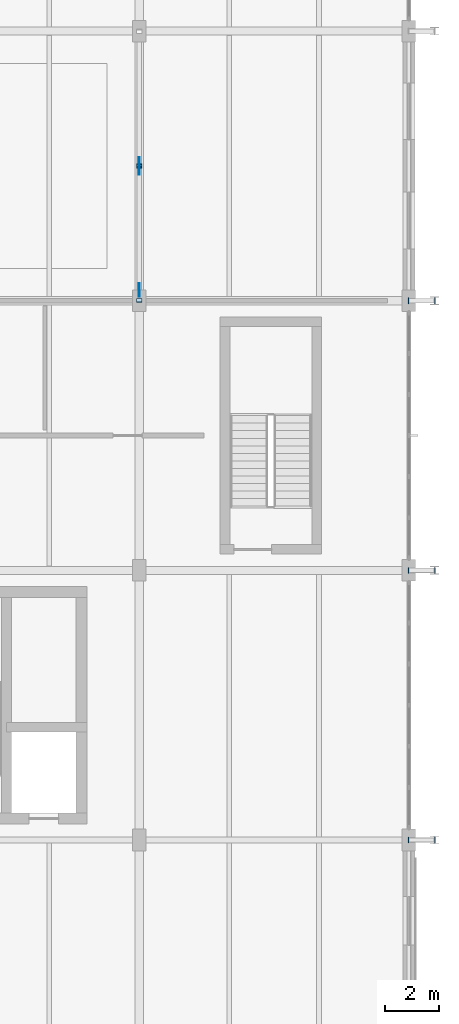
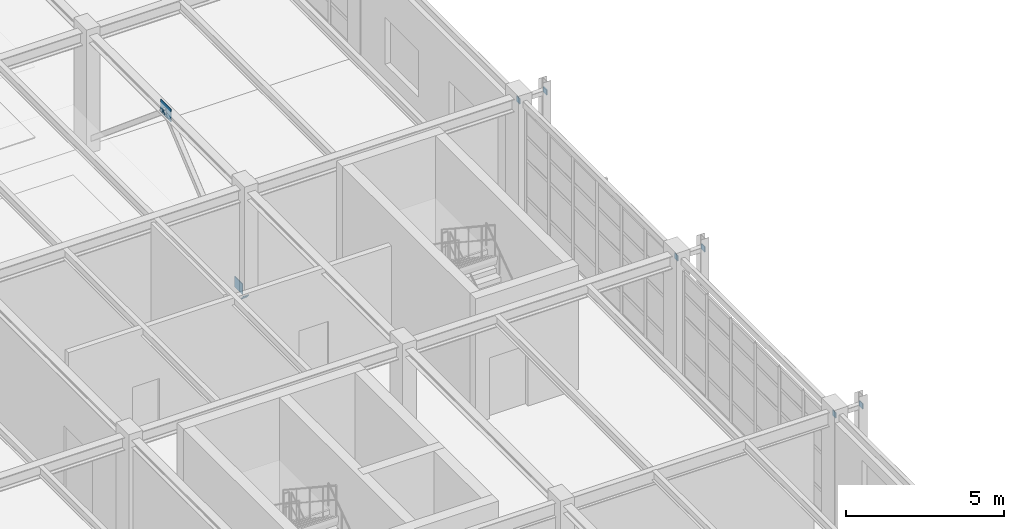
# One storey, part 114 of 139: 11 plates.
"""IFC4 building model written with IfcOpenShell, lengths in metres."""

from ifc_helpers import new_model, si_unit, direction, frame, origin, origin_2d, place, context, subcontext, project, spatial, rectangle, extrude, material, layer, layer_set, type_object, element, save


model = new_model("IFC4")

# Units and contexts
model_context = context("Model", 3, precision=1e-05, world=origin(), true_north=direction((0.0, 1.0)))
body_context = subcontext(model_context, "Body", "Model", "MODEL_VIEW")
ifc_project = project(units=[si_unit("LENGTHUNIT", "METRE"), si_unit("AREAUNIT", "SQUARE_METRE"), si_unit("VOLUMEUNIT", "CUBIC_METRE"), si_unit("PLANEANGLEUNIT", "RADIAN"), si_unit("MASSUNIT", "GRAM", prefix="KILO"), si_unit("THERMODYNAMICTEMPERATUREUNIT", "KELVIN"), si_unit("POWERUNIT", "WATT")], contexts=[model_context])

# Site, building, storey
site_placement = place(None, origin())
site = spatial("IfcSite", under=ifc_project, at=site_placement, CompositionType="ELEMENT")
building_placement = place(site_placement, origin())
building = spatial("IfcBuilding", under=site, at=building_placement, Name="Korenveer Ferry Terminal", CompositionType="ELEMENT")
storey_placement = place(building_placement, frame((0.0, 0.0, 5.39990234375)))
storey = spatial("IfcBuildingStorey", under=building, at=storey_placement, Name="L01", CompositionType="ELEMENT", Elevation=5.39990234375)

# Plates
ifc_material = material(Name="Steel S355", Category="steel")
ifc_layer_1 = layer(ifc_material, 0.031982421875)
ifc_layer_set_1 = layer_set([ifc_layer_1], Name="Steel S355")
plate_type_1 = type_object("IfcPlateType", Name="STR-PLT-CAP32", PredefinedType="USERDEFINED", material=ifc_layer_set_1)
for number, where, z_axis, x_axis, name in (
    (1, (175.9677734375, 20.0, 4.35009765625), (1.0, 0.0, 0.0), (0.0, 1.0, 0.0), "Hollow section end cap 115"),
    (2, (176.9501953125, 20.0, 4.35009765625), (1.0, 0.0, 0.0), (0.0, 1.0, 0.0), "Hollow section end cap 116"),
    (3, (175.9677734375, 30.0, 4.35009765625), (1.0, 0.0, 0.0), (0.0, 1.0, 0.0), "Hollow section end cap 121"),
    (4, (176.9501953125, 30.0, 4.35009765625), (1.0, 0.0, 0.0), (0.0, 1.0, 0.0), "Hollow section end cap 122"),
    (5, (175.9677734375, 40.0, 4.35009765625), (1.0, 0.0, 0.0), (0.0, 1.0, 0.0), "Hollow section end cap 127"),
    (6, (176.9501953125, 40.0, 4.35009765625), (1.0, 0.0, 0.0), (0.0, 1.0, 0.0), "Hollow section end cap 128"),
    (7, (166.0, 39.99560546875, 0.219482421875), (0.0, 0.767462827943, 0.641093446953), (-1.0, 0.0, 0.0), "Hollow section end cap 606"),
    (8, (166.0, 45.0, 4.400146484375), (0.0, 0.767462827943, 0.641093446953), (-1.0, 0.0, 0.0), "Hollow section end cap 607"),
    (9, (166.0, 44.9755859375, 4.420654296875), (0.0, 0.767462827943, -0.641093446953), (-1.0, 0.0, 0.0), "Hollow section end cap 608"),
):
    element("IfcPlate", number, at=place(storey_placement, frame(where, z_axis=z_axis, x_axis=x_axis)), inside=storey, type_object=plate_type_1, Name=name, ObjectType="END CAP PLATE", PredefinedType="USERDEFINED", context=body_context, shape_type="SweptSolid", body=[
        extrude(rectangle(XDim=0.2099609375, YDim=0.2099609375, at=origin_2d()), origin(), (0.0, 0.0, 1.0), 0.031982421875),
    ])
ifc_layer_2 = layer(ifc_material, 0.02392578125)
ifc_layer_set_2 = layer_set([ifc_layer_2], Name="Steel S355")
plate_type_2 = type_object("IfcPlateType", Name="STR-PLT-GUS24", PredefinedType="USERDEFINED", material=ifc_layer_set_2)
plate_1_placement = place(storey_placement, frame((166.0, 45.0, 4.150146484375), z_axis=(0.0, 0.0, 1.0), x_axis=(1.0, 0.0, 0.0)))
element("IfcPlate", 10, at=plate_1_placement, inside=storey, type_object=plate_type_2, Name="Chevron brace apex gusset 17", ObjectType="GUSSET PLATE", PredefinedType="USERDEFINED", context=body_context, shape_type="SweptSolid", body=[
    extrude(rectangle(XDim=0.02392578125, YDim=0.64990234375, at=origin_2d()), origin(), (0.0, 0.0, 1.0), 0.5),
])
plate_2_placement = place(storey_placement, frame((166.0, 40.39990234375, 0.240234375), z_axis=(0.0, 0.0, 1.0), x_axis=(1.0, 0.0, 0.0)))
element("IfcPlate", 11, at=plate_2_placement, inside=storey, type_object=plate_type_2, Name="Chevron brace base gusset 18", ObjectType="GUSSET PLATE", PredefinedType="USERDEFINED", context=body_context, shape_type="SweptSolid", body=[
    extrude(rectangle(XDim=0.02392578125, YDim=0.5, at=origin_2d()), origin(), (0.0, 0.0, 1.0), 0.39990234375),
])

save(model, "model.ifc")
